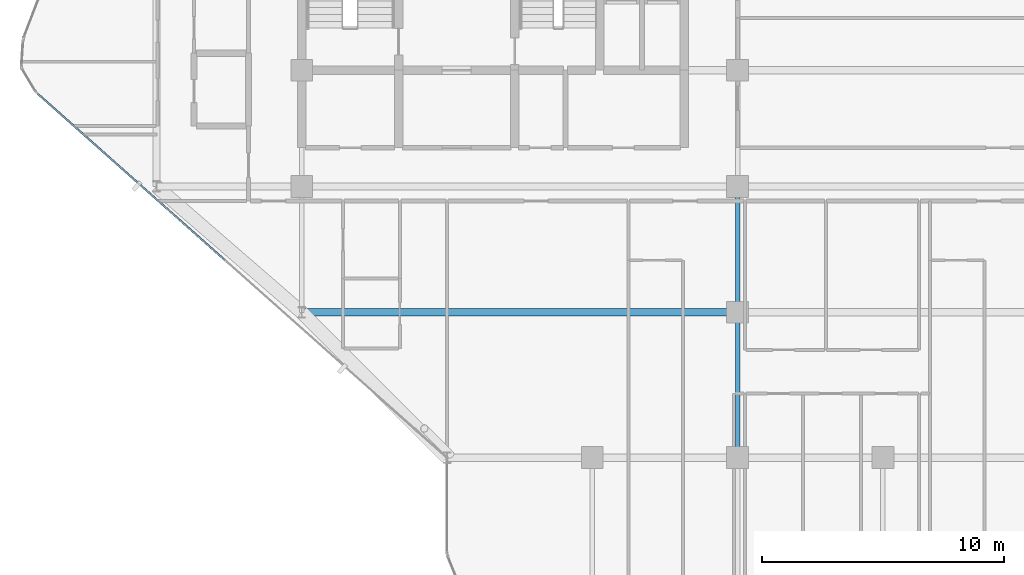
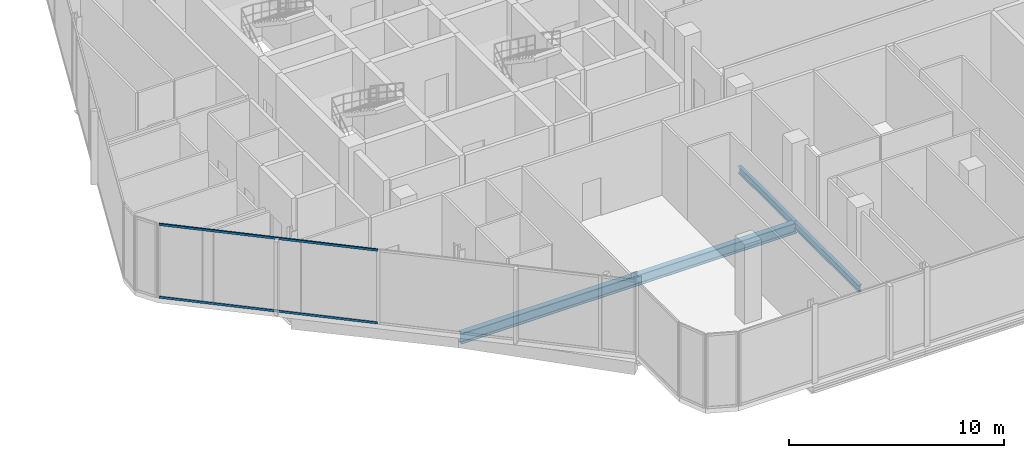
# One storey, part 7 of 28: 3 beams, 2 members, 1 element without a shape of its own.
"""IFC4 building model written with IfcOpenShell, lengths in metres."""

from ifc_helpers import new_model, si_unit, direction, frame, origin, origin_2d, place, context, subcontext, project, spatial, hollow_rectangle, i_section, extrude, material, layer, layer_set, material_profile, profile_set, type_object, element, aggregate, save


model = new_model("IFC4")

# Units and contexts
model_context = context("Model", 3, precision=1e-05, world=origin(), true_north=direction((0.0, 1.0)))
body_context = subcontext(model_context, "Body", "Model", "MODEL_VIEW")
ifc_project = project(units=[si_unit("LENGTHUNIT", "METRE"), si_unit("AREAUNIT", "SQUARE_METRE"), si_unit("VOLUMEUNIT", "CUBIC_METRE"), si_unit("PLANEANGLEUNIT", "RADIAN"), si_unit("MASSUNIT", "GRAM", prefix="KILO")], contexts=[model_context])

# Site, building, storey
site_placement = place(None, origin())
site = spatial("IfcSite", under=ifc_project, at=site_placement, CompositionType="ELEMENT")
building_placement = place(site_placement, origin())
building = spatial("IfcBuilding", under=site, at=building_placement, Name="Keshet Zoharim Tower", CompositionType="ELEMENT")
storey_placement = place(building_placement, frame((0.0, 0.0, 164.60009765625)))
storey = spatial("IfcBuildingStorey", under=building, at=storey_placement, Name="L40", CompositionType="ELEMENT", Elevation=164.60009765625)

# Beams
ifc_material_1 = material(Name="Steel S355", Category="steel")
ifc_material_profile_1 = material_profile(ifc_material_1, i_section(OverallWidth=0.300048828125, OverallDepth=0.60009765625, WebThickness=0.015380859375, FlangeThickness=0.030029296875, FilletRadius=0.027099609375, at=origin_2d()), Name="HEB600")
ifc_profile_set_1 = profile_set([ifc_material_profile_1], Name="Steel S355")
beam_type_1 = type_object("IfcBeamType", Name="BM-LNG-HB600", PredefinedType="BEAM", material=ifc_profile_set_1)
beam_1_placement = place(storey_placement, frame((15.0, 12.699951171875, -0.610107421875), z_axis=(1.0, 0.0, 0.0), x_axis=(0.0, 1.0, 0.0)))
element("IfcBeam", 1, at=beam_1_placement, inside=storey, type_object=beam_type_1, Name="L40 Primary Girder X-009", PredefinedType="BEAM", context=body_context, shape_type="SweptSolid", body=[
    extrude(i_section(OverallWidth=0.300048828125, OverallDepth=0.60009765625, WebThickness=0.015380859375, FlangeThickness=0.030029296875, FilletRadius=0.027099609375, at=origin_2d()), origin(), (0.0, 0.0, 1.0), 18.0),
])
ifc_material_profile_2 = material_profile(ifc_material_1, i_section(OverallWidth=0.179931640625, OverallDepth=0.39990234375, WebThickness=0.008544921875, FlangeThickness=0.013427734375, FilletRadius=0.02099609375, at=origin_2d()), Name="IPE400")
ifc_profile_set_2 = profile_set([ifc_material_profile_2], Name="Steel S355")
beam_type_2 = type_object("IfcBeamType", Name="BM-PRI-IP400", PredefinedType="BEAM", material=ifc_profile_set_2)
beam_2_placement = place(storey_placement, frame((33.0, 6.699951171875, -0.510009765625), z_axis=(0.0, 1.0, 0.0), x_axis=(-1.0, 0.0, 0.0)))
element("IfcBeam", 2, at=beam_2_placement, inside=storey, type_object=beam_type_2, Name="L40 Primary Girder Y-006", PredefinedType="BEAM", context=body_context, shape_type="SweptSolid", body=[
    extrude(i_section(OverallWidth=0.179931640625, OverallDepth=0.39990234375, WebThickness=0.008544921875, FlangeThickness=0.013427734375, FilletRadius=0.02099609375, at=origin_2d()), origin(), (0.0, 0.0, 1.0), 6.0),
])
beam_3_placement = place(storey_placement, frame((33.0, 12.699951171875, -0.510009765625), z_axis=(0.0, 1.0, 0.0), x_axis=(-1.0, 0.0, 0.0)))
element("IfcBeam", 3, at=beam_3_placement, inside=storey, type_object=beam_type_2, Name="L40 Primary Girder Y-007", PredefinedType="BEAM", context=body_context, shape_type="SweptSolid", body=[
    extrude(i_section(OverallWidth=0.179931640625, OverallDepth=0.39990234375, WebThickness=0.008544921875, FlangeThickness=0.013427734375, FilletRadius=0.02099609375, at=origin_2d()), origin(), (0.0, 0.0, 1.0), 5.199951171875),
])

# Curtain wall, members
ifc_material_2 = material(Name="Aluminium 6063-T6", Category="aluminium")
ifc_layer = layer(ifc_material_2, 0.139892578125)
ifc_layer_set = layer_set([ifc_layer], Name="Aluminium 6063-T6")
curtain_wall_type = type_object("IfcCurtainWallType", Name="CW-SYS-05", PredefinedType="NOTDEFINED", material=ifc_layer_set)
curtain_wall_placement = place(storey_placement, origin())
curtain_wall = element("IfcCurtainWall", 4, at=curtain_wall_placement, inside=storey, type_object=curtain_wall_type, Name="L40 Unitised Curtain Wall 10 Part 2", PredefinedType="NOTDEFINED")
ifc_material_profile_3 = material_profile(ifc_material_2, hollow_rectangle(XDim=0.074951171875, YDim=0.1201171875, WallThickness=0.00390625, at=origin_2d()), Name="TRN-75x120")
ifc_profile_set_3 = profile_set([ifc_material_profile_3], Name="Aluminium 6063-T6")
member_type = type_object("IfcMemberType", Name="CWT-T12", PredefinedType="USERDEFINED", material=ifc_profile_set_3)
member_1_placement = place(storey_placement, frame((11.837158203125, 14.8447265625, 0.034912109375), z_axis=(-0.747409318684, 0.66436383883, 0.0), x_axis=(-0.66436383883, -0.747409318684, 0.0)))
member_1 = element("IfcMember", 5, at=member_1_placement, type_object=member_type, Name="CW-05 transom 2.1", ObjectType="TRANSOM", PredefinedType="USERDEFINED", context=body_context, shape_type="SweptSolid", body=[
    extrude(hollow_rectangle(XDim=0.074951171875, YDim=0.1201171875, WallThickness=0.00390625, at=origin_2d()), origin(), (0.0, 0.0, 1.0), 10.368896484375),
])
member_2_placement = place(storey_placement, frame((11.837158203125, 14.8447265625, 4.15478515625), z_axis=(-0.747409318684, 0.66436383883, 0.0), x_axis=(-0.66436383883, -0.747409318684, 0.0)))
member_2 = element("IfcMember", 6, at=member_2_placement, type_object=member_type, Name="CW-05 transom 2.2", ObjectType="TRANSOM", PredefinedType="USERDEFINED", context=body_context, shape_type="SweptSolid", body=[
    extrude(hollow_rectangle(XDim=0.074951171875, YDim=0.1201171875, WallThickness=0.00390625, at=origin_2d()), origin(), (0.0, 0.0, 1.0), 10.368896484375),
])
aggregate(curtain_wall, [member_1, member_2])

save(model, "model.ifc")
